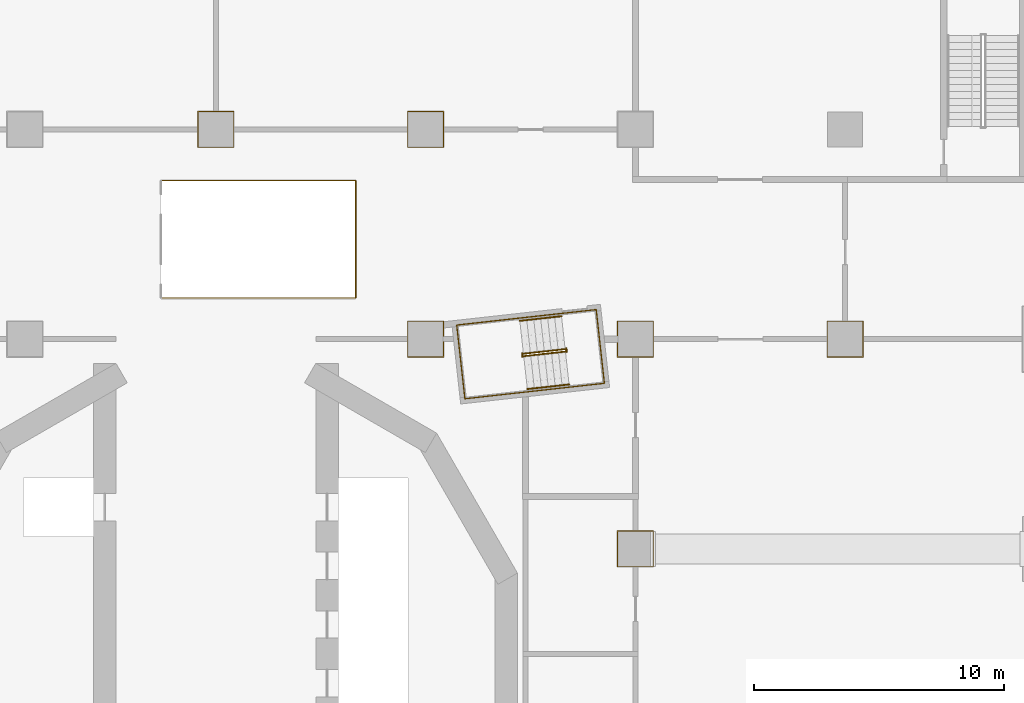
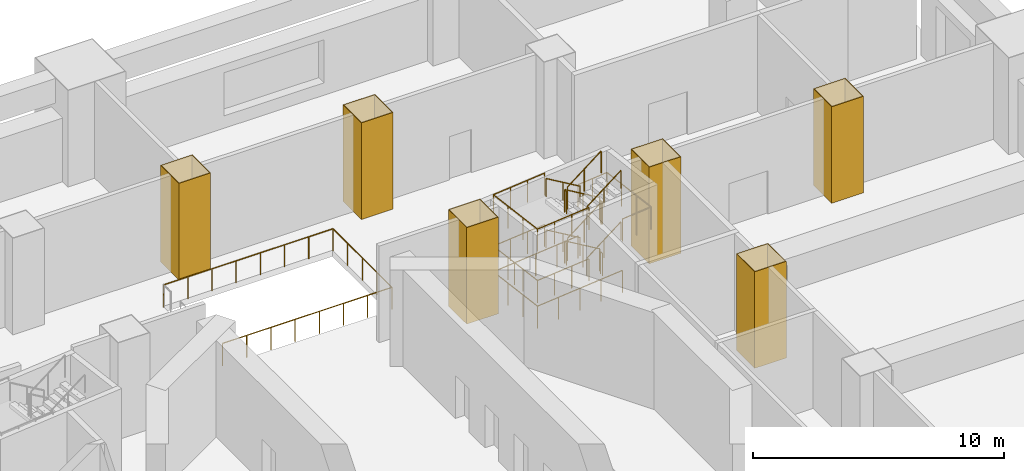
# One storey, part 14 of 17: 14 railings, 6 coverings.
"""IFC4 building model written with IfcOpenShell, lengths in metres."""

from ifc_helpers import new_model, si_unit, direction, frame, origin, origin_2d, place, context, subcontext, project, spatial, polyline, circle, outline, extrude, material, layer, layer_set, type_object, element, save


model = new_model("IFC4")

# Units and contexts
model_context = context("Model", 3, precision=1e-05, world=origin(), true_north=direction((0.0, 1.0)))
body_context = subcontext(model_context, "Body", "Model", "MODEL_VIEW")
ifc_project = project(units=[si_unit("LENGTHUNIT", "METRE"), si_unit("AREAUNIT", "SQUARE_METRE"), si_unit("VOLUMEUNIT", "CUBIC_METRE"), si_unit("PLANEANGLEUNIT", "RADIAN"), si_unit("MASSUNIT", "GRAM", prefix="KILO")], contexts=[model_context])

# Site, building, storey
site_placement = place(None, origin())
site = spatial("IfcSite", under=ifc_project, at=site_placement, CompositionType="ELEMENT")
building_placement = place(site_placement, origin())
building = spatial("IfcBuilding", under=site, at=building_placement, Name="Cantera Rosa Tower", CompositionType="ELEMENT")
storey_placement = place(building_placement, frame((0.0, 0.0, 22.0)))
storey = spatial("IfcBuildingStorey", under=building, at=storey_placement, Name="L03", CompositionType="ELEMENT", Elevation=22.0)

# Coverings
ifc_material_1 = material(Name="Plaster")
ifc_layer = layer(ifc_material_1, 0.030029296875)
ifc_layer_set = layer_set([ifc_layer], Name="Column casing 30")
covering_type = type_object("IfcCoveringType", Name="Column casing 30", PredefinedType="CLADDING", material=ifc_layer_set)
covering_1_placement = place(storey_placement, origin())
element("IfcCovering", 1, at=covering_1_placement, inside=storey, type_object=covering_type, Name="Column casing L03-019", PredefinedType="CLADDING", context=body_context, shape_type="SweptSolid", body=[
    extrude(outline(polyline([(-0.72998046875, 20.27001953125), (0.72998046875, 20.27001953125), (0.72998046875, 21.72998046875), (-0.72998046875, 21.72998046875), (-0.72998046875, 20.27001953125)]), holes=[polyline([(0.699951171875, 21.699951171875), (-0.699951171875, 21.699951171875), (-0.699951171875, 20.300048828125), (0.699951171875, 20.300048828125), (0.699951171875, 21.699951171875)])]), origin(), (0.0, 0.0, 1.0), 4.699951171875),
])
covering_2_placement = place(storey_placement, origin())
element("IfcCovering", 2, at=covering_2_placement, inside=storey, type_object=covering_type, Name="Column casing L03-023", PredefinedType="CLADDING", context=body_context, shape_type="SweptSolid", body=[
    extrude(outline(polyline([(7.669921875, 11.8701171875), (9.1298828125, 11.8701171875), (9.1298828125, 13.330078125), (7.669921875, 13.330078125), (7.669921875, 11.8701171875)]), holes=[polyline([(9.10009765625, 13.300048828125), (7.699951171875, 13.300048828125), (7.699951171875, 11.89990234375), (9.10009765625, 11.89990234375), (9.10009765625, 13.300048828125)])]), origin(), (0.0, 0.0, 1.0), 4.699951171875),
])
covering_3_placement = place(storey_placement, origin())
element("IfcCovering", 3, at=covering_3_placement, inside=storey, type_object=covering_type, Name="Column casing L03-024", PredefinedType="CLADDING", context=body_context, shape_type="SweptSolid", body=[
    extrude(outline(polyline([(7.669921875, 20.27001953125), (9.1298828125, 20.27001953125), (9.1298828125, 21.72998046875), (7.669921875, 21.72998046875), (7.669921875, 20.27001953125)]), holes=[polyline([(9.10009765625, 21.699951171875), (7.699951171875, 21.699951171875), (7.699951171875, 20.300048828125), (9.10009765625, 20.300048828125), (9.10009765625, 21.699951171875)])]), origin(), (0.0, 0.0, 1.0), 4.699951171875),
])
covering_4_placement = place(storey_placement, origin())
element("IfcCovering", 4, at=covering_4_placement, inside=storey, type_object=covering_type, Name="Column casing L03-029", PredefinedType="CLADDING", context=body_context, shape_type="SweptSolid", body=[
    extrude(outline(polyline([(16.070068359375, 3.469970703125), (17.530029296875, 3.469970703125), (17.530029296875, 4.929931640625), (16.070068359375, 4.929931640625), (16.070068359375, 3.469970703125)]), holes=[polyline([(17.5, 4.89990234375), (16.10009765625, 4.89990234375), (16.10009765625, 3.5), (17.5, 3.5), (17.5, 4.89990234375)])]), origin(), (0.0, 0.0, 1.0), 4.699951171875),
])
covering_5_placement = place(storey_placement, origin())
element("IfcCovering", 5, at=covering_5_placement, inside=storey, type_object=covering_type, Name="Column casing L03-030", PredefinedType="CLADDING", context=body_context, shape_type="SweptSolid", body=[
    extrude(outline(polyline([(16.070068359375, 11.8701171875), (17.530029296875, 11.8701171875), (17.530029296875, 13.330078125), (16.070068359375, 13.330078125), (16.070068359375, 11.8701171875)]), holes=[polyline([(17.5, 13.300048828125), (16.10009765625, 13.300048828125), (16.10009765625, 11.89990234375), (17.5, 11.89990234375), (17.5, 13.300048828125)])]), origin(), (0.0, 0.0, 1.0), 4.699951171875),
])
covering_6_placement = place(storey_placement, origin())
element("IfcCovering", 6, at=covering_6_placement, inside=storey, type_object=covering_type, Name="Column casing L03-033", PredefinedType="CLADDING", context=body_context, shape_type="SweptSolid", body=[
    extrude(outline(polyline([(24.469970703125, 11.8701171875), (25.929931640625, 11.8701171875), (25.929931640625, 13.330078125), (24.469970703125, 13.330078125), (24.469970703125, 11.8701171875)]), holes=[polyline([(25.89990234375, 13.300048828125), (24.5, 13.300048828125), (24.5, 11.89990234375), (25.89990234375, 11.89990234375), (25.89990234375, 13.300048828125)])]), origin(), (0.0, 0.0, 1.0), 4.699951171875),
])

# Railings
ifc_material_2 = material(Name="Steel S355J2 (EN 10025-2)", Category="steel")
railing_type_1 = type_object("IfcRailingType", Name="STAIR GUARD 1100", PredefinedType="GUARDRAIL", material=ifc_material_2)
railing_1_placement = place(storey_placement, frame((13.986083984375, 12.203125, 0.178466796875)))
element("IfcRailing", 7, at=railing_1_placement, inside=storey, type_object=railing_type_1, Name="L03 ST-11 stair guard 1", PredefinedType="GUARDRAIL", context=body_context, shape_type="SweptSolid", body=[
    extrude(circle(Radius=0.02392578125, at=origin_2d()), frame((0.0, 0.0, 1.076171875), z_axis=(-0.837950904326, -0.092996744609, 0.537763784046), x_axis=(0.110303920128, -0.993897904819, 0.0)), (0.0, 0.0, 1.0), 1.99267578125),
    extrude(circle(Radius=0.02392578125, at=origin_2d()), frame((-1.669677734375, -0.185302734375, 2.1474609375), z_axis=(-0.933456941688, 0.358689472963, 0.0), x_axis=(-0.358689472963, -0.933456941688, 0.0)), (0.0, 0.0, 1.0), 0.056396484375),
    extrude(circle(Radius=0.02392578125, at=origin_2d()), frame((-1.722412109375, -0.1650390625, 2.1474609375), z_axis=(0.110789159685, -0.993843932464, 0.0), x_axis=(0.993843932464, 0.110789159685, 0.0)), (0.0, 0.0, 1.0), 0.14990234375),
    extrude(circle(Radius=0.02099609375, at=origin_2d()), origin(), (0.0, 0.0, 1.0), 1.052001953125),
    extrude(circle(Radius=0.02099609375, at=origin_2d()), frame((-0.8349609375, -0.0927734375, 0.53564453125)), (0.0, 0.0, 1.0), 1.052001953125),
    extrude(circle(Radius=0.02099609375, at=origin_2d()), frame((-1.669677734375, -0.185302734375, 1.071533203125)), (0.0, 0.0, 1.0), 1.052001953125),
    extrude(circle(Radius=0.02099609375, at=origin_2d()), frame((-1.722412109375, -0.1650390625, 1.071533203125)), (0.0, 0.0, 1.0), 1.052001953125),
    extrude(circle(Radius=0.02099609375, at=origin_2d()), frame((-1.705810546875, -0.31396484375, 1.071533203125)), (0.0, 0.0, 1.0), 1.052001953125),
])
railing_2_placement = place(storey_placement, frame((12.3271484375, 11.92041015625, 1.428466796875)))
element("IfcRailing", 8, at=railing_2_placement, inside=storey, type_object=railing_type_1, Name="L03 ST-11 stair guard 2", PredefinedType="GUARDRAIL", context=body_context, shape_type="SweptSolid", body=[
    extrude(circle(Radius=0.02392578125, at=origin_2d()), frame((0.0, 0.0, 1.076171875), z_axis=(0.837950904326, 0.092996744609, 0.537763784046), x_axis=(-0.110303920128, 0.993897904819, 0.0)), (0.0, 0.0, 1.0), 1.99267578125),
    extrude(circle(Radius=0.02392578125, at=origin_2d()), frame((1.669677734375, 0.185302734375, 2.1474609375), z_axis=(0.932897555956, -0.360141847183, 0.0), x_axis=(0.360141847183, 0.932897555956, 0.0)), (0.0, 0.0, 1.0), 0.05615234375),
    extrude(circle(Radius=0.02392578125, at=origin_2d()), frame((1.72216796875, 0.1650390625, 2.1474609375), z_axis=(-0.109179471459, 0.994022053584, 0.0), x_axis=(-0.994022053584, -0.109179471459, 0.0)), (0.0, 0.0, 1.0), 0.14990234375),
    extrude(circle(Radius=0.02099609375, at=origin_2d()), origin(), (0.0, 0.0, 1.0), 1.052001953125),
    extrude(circle(Radius=0.02099609375, at=origin_2d()), frame((0.8349609375, 0.0927734375, 0.53564453125)), (0.0, 0.0, 1.0), 1.052001953125),
    extrude(circle(Radius=0.02099609375, at=origin_2d()), frame((1.669677734375, 0.185302734375, 1.071533203125)), (0.0, 0.0, 1.0), 1.052001953125),
    extrude(circle(Radius=0.02099609375, at=origin_2d()), frame((1.72216796875, 0.1650390625, 1.071533203125)), (0.0, 0.0, 1.0), 1.052001953125),
    extrude(circle(Radius=0.02099609375, at=origin_2d()), frame((1.705810546875, 0.31396484375, 1.071533203125)), (0.0, 0.0, 1.0), 1.052001953125),
])
railing_3_placement = place(storey_placement, frame((13.986083984375, 12.203125, 2.678466796875)))
element("IfcRailing", 9, at=railing_3_placement, inside=storey, type_object=railing_type_1, Name="L03 ST-11 stair guard 3", PredefinedType="GUARDRAIL", context=body_context, shape_type="SweptSolid", body=[
    extrude(circle(Radius=0.02392578125, at=origin_2d()), frame((0.0, 0.0, 1.076171875), z_axis=(-0.837950904326, -0.092996744609, 0.537763784046), x_axis=(0.110303920128, -0.993897904819, 0.0)), (0.0, 0.0, 1.0), 1.99267578125),
    extrude(circle(Radius=0.02392578125, at=origin_2d()), frame((-1.669677734375, -0.185302734375, 2.1474609375), z_axis=(-0.933456941688, 0.358689472963, 0.0), x_axis=(-0.358689472963, -0.933456941688, 0.0)), (0.0, 0.0, 1.0), 0.056396484375),
    extrude(circle(Radius=0.02392578125, at=origin_2d()), frame((-1.722412109375, -0.1650390625, 2.1474609375), z_axis=(0.110789159685, -0.993843932464, 0.0), x_axis=(0.993843932464, 0.110789159685, 0.0)), (0.0, 0.0, 1.0), 0.14990234375),
    extrude(circle(Radius=0.02099609375, at=origin_2d()), origin(), (0.0, 0.0, 1.0), 1.052001953125),
    extrude(circle(Radius=0.02099609375, at=origin_2d()), frame((-0.8349609375, -0.0927734375, 0.53564453125)), (0.0, 0.0, 1.0), 1.052001953125),
    extrude(circle(Radius=0.02099609375, at=origin_2d()), frame((-1.669677734375, -0.185302734375, 1.071533203125)), (0.0, 0.0, 1.0), 1.052001953125),
    extrude(circle(Radius=0.02099609375, at=origin_2d()), frame((-1.722412109375, -0.1650390625, 1.071533203125)), (0.0, 0.0, 1.0), 1.052001953125),
    extrude(circle(Radius=0.02099609375, at=origin_2d()), frame((-1.705810546875, -0.31396484375, 1.071533203125)), (0.0, 0.0, 1.0), 1.052001953125),
])
railing_4_placement = place(storey_placement, frame((12.3271484375, 11.92041015625, 3.928466796875)))
element("IfcRailing", 10, at=railing_4_placement, inside=storey, type_object=railing_type_1, Name="L03 ST-11 stair guard 4", PredefinedType="GUARDRAIL", context=body_context, shape_type="SweptSolid", body=[
    extrude(circle(Radius=0.02392578125, at=origin_2d()), frame((0.0, 0.0, 1.076171875), z_axis=(0.837950904326, 0.092996744609, 0.537763784046), x_axis=(-0.110303920128, 0.993897904819, 0.0)), (0.0, 0.0, 1.0), 1.99267578125),
    extrude(circle(Radius=0.02099609375, at=origin_2d()), origin(), (0.0, 0.0, 1.0), 1.052001953125),
    extrude(circle(Radius=0.02099609375, at=origin_2d()), frame((0.8349609375, 0.0927734375, 0.53564453125)), (0.0, 0.0, 1.0), 1.052001953125),
    extrude(circle(Radius=0.02099609375, at=origin_2d()), frame((1.669677734375, 0.185302734375, 1.071533203125)), (0.0, 0.0, 1.0), 1.052001953125),
])
railing_5_placement = place(storey_placement, frame((14.032958984375, 12.234375, 0.0)))
element("IfcRailing", 11, at=railing_5_placement, inside=storey, type_object=railing_type_1, Name="L03 ST-11 stair guard 5", PredefinedType="GUARDRAIL", context=body_context, shape_type="SweptSolid", body=[
    extrude(circle(Radius=0.02392578125, at=origin_2d()), frame((0.0, 0.0, 1.076171875), z_axis=(0.109179471459, -0.994022053584, 0.0), x_axis=(0.994022053584, 0.109179471459, 0.0)), (0.0, 0.0, 1.0), 0.14990234375),
    extrude(circle(Radius=0.02099609375, at=origin_2d()), origin(), (0.0, 0.0, 1.0), 1.052001953125),
    extrude(circle(Radius=0.02099609375, at=origin_2d()), frame((0.016357421875, -0.14892578125, 0.0)), (0.0, 0.0, 1.0), 1.052001953125),
])
railing_6_placement = place(storey_placement, frame((13.815673828125, 13.629150390625, 0.0)))
element("IfcRailing", 12, at=railing_6_placement, inside=storey, type_object=railing_type_1, Name="L03 ST-11 stair guard 6", PredefinedType="GUARDRAIL", context=body_context, shape_type="SweptSolid", body=[
    extrude(circle(Radius=0.02392578125, at=origin_2d()), frame((0.0, 0.0, 1.076171875), z_axis=(-0.9938957856, -0.110323013767, 0.0), x_axis=(0.110323013767, -0.9938957856, 0.0)), (0.0, 0.0, 1.0), 4.197998046875),
    extrude(circle(Radius=0.02392578125, at=origin_2d()), frame((-4.17236328125, -0.463134765625, 1.076171875), z_axis=(0.110314237986, -0.993896759678, 0.0), x_axis=(0.993896759678, 0.110314237986, 0.0)), (0.0, 0.0, 1.0), 2.969970703125),
    extrude(circle(Radius=0.02392578125, at=origin_2d()), frame((-3.8447265625, -3.4150390625, 1.076171875), z_axis=(0.9938957856, 0.110323013767, 0.0), x_axis=(-0.110323013767, 0.9938957856, 0.0)), (0.0, 0.0, 1.0), 4.197998046875),
    extrude(circle(Radius=0.02099609375, at=origin_2d()), origin(), (0.0, 0.0, 1.0), 1.052001953125),
    extrude(circle(Radius=0.02099609375, at=origin_2d()), frame((-1.04296875, -0.11572265625, 0.0)), (0.0, 0.0, 1.0), 1.052001953125),
    extrude(circle(Radius=0.02099609375, at=origin_2d()), frame((-2.086181640625, -0.2314453125, 0.0)), (0.0, 0.0, 1.0), 1.052001953125),
    extrude(circle(Radius=0.02099609375, at=origin_2d()), frame((-3.12939453125, -0.347412109375, 0.0)), (0.0, 0.0, 1.0), 1.052001953125),
    extrude(circle(Radius=0.02099609375, at=origin_2d()), frame((-4.17236328125, -0.463134765625, 0.0)), (0.0, 0.0, 1.0), 1.052001953125),
    extrude(circle(Radius=0.02099609375, at=origin_2d()), frame((-4.063232421875, -1.447021484375, 0.0)), (0.0, 0.0, 1.0), 1.052001953125),
    extrude(circle(Radius=0.02099609375, at=origin_2d()), frame((-3.953857421875, -2.43115234375, 0.0)), (0.0, 0.0, 1.0), 1.052001953125),
    extrude(circle(Radius=0.02099609375, at=origin_2d()), frame((-3.8447265625, -3.4150390625, 0.0)), (0.0, 0.0, 1.0), 1.052001953125),
    extrude(circle(Radius=0.02099609375, at=origin_2d()), frame((-2.8017578125, -3.29931640625, 0.0)), (0.0, 0.0, 1.0), 1.052001953125),
    extrude(circle(Radius=0.02099609375, at=origin_2d()), frame((-1.758544921875, -3.18359375, 0.0)), (0.0, 0.0, 1.0), 1.052001953125),
    extrude(circle(Radius=0.02099609375, at=origin_2d()), frame((-0.71533203125, -3.067626953125, 0.0)), (0.0, 0.0, 1.0), 1.052001953125),
    extrude(circle(Radius=0.02099609375, at=origin_2d()), frame((0.32763671875, -2.951904296875, 0.0)), (0.0, 0.0, 1.0), 1.052001953125),
])
railing_7_placement = place(storey_placement, frame((12.169921875, 13.4462890625, 1.25)))
element("IfcRailing", 13, at=railing_7_placement, inside=storey, type_object=railing_type_1, Name="L03 ST-11 stair guard 7", PredefinedType="GUARDRAIL", context=body_context, shape_type="SweptSolid", body=[
    extrude(circle(Radius=0.02392578125, at=origin_2d()), frame((0.0, 0.0, 1.076171875), z_axis=(-0.993903628964, -0.110252330278, 0.0), x_axis=(0.110252330278, -0.993903628964, 0.0)), (0.0, 0.0, 1.0), 2.5419921875),
    extrude(circle(Radius=0.02392578125, at=origin_2d()), frame((-2.526611328125, -0.2802734375, 1.076171875), z_axis=(0.110314237986, -0.993896759678, 0.0), x_axis=(0.993896759678, 0.110314237986, 0.0)), (0.0, 0.0, 1.0), 2.969970703125),
    extrude(circle(Radius=0.02392578125, at=origin_2d()), frame((-2.198974609375, -3.232177734375, 1.076171875), z_axis=(0.993903628964, 0.110252330278, 0.0), x_axis=(-0.110252330278, 0.993903628964, 0.0)), (0.0, 0.0, 1.0), 2.5419921875),
    extrude(circle(Radius=0.02099609375, at=origin_2d()), origin(), (0.0, 0.0, 1.0), 1.052001953125),
    extrude(circle(Radius=0.02099609375, at=origin_2d()), frame((-0.84228515625, -0.093505859375, 0.0)), (0.0, 0.0, 1.0), 1.052001953125),
    extrude(circle(Radius=0.02099609375, at=origin_2d()), frame((-1.684326171875, -0.186767578125, 0.0)), (0.0, 0.0, 1.0), 1.052001953125),
    extrude(circle(Radius=0.02099609375, at=origin_2d()), frame((-2.526611328125, -0.2802734375, 0.0)), (0.0, 0.0, 1.0), 1.052001953125),
    extrude(circle(Radius=0.02099609375, at=origin_2d()), frame((-2.41748046875, -1.26416015625, 0.0)), (0.0, 0.0, 1.0), 1.052001953125),
    extrude(circle(Radius=0.02099609375, at=origin_2d()), frame((-2.30810546875, -2.248291015625, 0.0)), (0.0, 0.0, 1.0), 1.052001953125),
    extrude(circle(Radius=0.02099609375, at=origin_2d()), frame((-2.198974609375, -3.232177734375, 0.0)), (0.0, 0.0, 1.0), 1.052001953125),
    extrude(circle(Radius=0.02099609375, at=origin_2d()), frame((-1.356689453125, -3.138671875, 0.0)), (0.0, 0.0, 1.0), 1.052001953125),
    extrude(circle(Radius=0.02099609375, at=origin_2d()), frame((-0.5146484375, -3.04541015625, 0.0)), (0.0, 0.0, 1.0), 1.052001953125),
    extrude(circle(Radius=0.02099609375, at=origin_2d()), frame((0.32763671875, -2.951904296875, 0.0)), (0.0, 0.0, 1.0), 1.052001953125),
])
railing_8_placement = place(storey_placement, frame((13.815673828125, 13.629150390625, 2.5)))
element("IfcRailing", 14, at=railing_8_placement, inside=storey, type_object=railing_type_1, Name="L03 ST-11 stair guard 8", PredefinedType="GUARDRAIL", context=body_context, shape_type="SweptSolid", body=[
    extrude(circle(Radius=0.02392578125, at=origin_2d()), frame((0.0, 0.0, 1.076171875), z_axis=(0.993906744489, 0.110224240795, 0.0), x_axis=(-0.110224240795, 0.993906744489, 0.0)), (0.0, 0.0, 1.0), 1.421875),
    extrude(circle(Radius=0.02392578125, at=origin_2d()), frame((1.413330078125, 0.15673828125, 1.076171875), z_axis=(0.110314237986, -0.993896759678, 0.0), x_axis=(0.993896759678, 0.110314237986, 0.0)), (0.0, 0.0, 1.0), 2.969970703125),
    extrude(circle(Radius=0.02392578125, at=origin_2d()), frame((1.740966796875, -2.795166015625, 1.076171875), z_axis=(-0.993906744489, -0.110224240795, 0.0), x_axis=(0.110224240795, -0.993906744489, 0.0)), (0.0, 0.0, 1.0), 1.421875),
    extrude(circle(Radius=0.02099609375, at=origin_2d()), origin(), (0.0, 0.0, 1.0), 1.052001953125),
    extrude(circle(Radius=0.02099609375, at=origin_2d()), frame((0.70654296875, 0.078369140625, 0.0)), (0.0, 0.0, 1.0), 1.052001953125),
    extrude(circle(Radius=0.02099609375, at=origin_2d()), frame((1.413330078125, 0.15673828125, 0.0)), (0.0, 0.0, 1.0), 1.052001953125),
    extrude(circle(Radius=0.02099609375, at=origin_2d()), frame((1.5224609375, -0.8271484375, 0.0)), (0.0, 0.0, 1.0), 1.052001953125),
    extrude(circle(Radius=0.02099609375, at=origin_2d()), frame((1.6318359375, -1.811279296875, 0.0)), (0.0, 0.0, 1.0), 1.052001953125),
    extrude(circle(Radius=0.02099609375, at=origin_2d()), frame((1.740966796875, -2.795166015625, 0.0)), (0.0, 0.0, 1.0), 1.052001953125),
    extrude(circle(Radius=0.02099609375, at=origin_2d()), frame((1.0341796875, -2.87353515625, 0.0)), (0.0, 0.0, 1.0), 1.052001953125),
    extrude(circle(Radius=0.02099609375, at=origin_2d()), frame((0.32763671875, -2.951904296875, 0.0)), (0.0, 0.0, 1.0), 1.052001953125),
])
railing_9_placement = place(storey_placement, frame((12.169921875, 13.4462890625, 3.75)))
element("IfcRailing", 15, at=railing_9_placement, inside=storey, type_object=railing_type_1, Name="L03 ST-11 stair guard 9", PredefinedType="GUARDRAIL", context=body_context, shape_type="SweptSolid", body=[
    extrude(circle(Radius=0.02392578125, at=origin_2d()), frame((0.0, 0.0, 1.076171875), z_axis=(-0.993903628964, -0.110252330278, 0.0), x_axis=(0.110252330278, -0.993903628964, 0.0)), (0.0, 0.0, 1.0), 2.5419921875),
    extrude(circle(Radius=0.02392578125, at=origin_2d()), frame((-2.526611328125, -0.2802734375, 1.076171875), z_axis=(0.110314237986, -0.993896759678, 0.0), x_axis=(0.993896759678, 0.110314237986, 0.0)), (0.0, 0.0, 1.0), 2.969970703125),
    extrude(circle(Radius=0.02392578125, at=origin_2d()), frame((-2.198974609375, -3.232177734375, 1.076171875), z_axis=(0.993903628964, 0.110252330278, 0.0), x_axis=(-0.110252330278, 0.993903628964, 0.0)), (0.0, 0.0, 1.0), 2.5419921875),
    extrude(circle(Radius=0.02099609375, at=origin_2d()), origin(), (0.0, 0.0, 1.0), 1.052001953125),
    extrude(circle(Radius=0.02099609375, at=origin_2d()), frame((-0.84228515625, -0.093505859375, 0.0)), (0.0, 0.0, 1.0), 1.052001953125),
    extrude(circle(Radius=0.02099609375, at=origin_2d()), frame((-1.684326171875, -0.186767578125, 0.0)), (0.0, 0.0, 1.0), 1.052001953125),
    extrude(circle(Radius=0.02099609375, at=origin_2d()), frame((-2.526611328125, -0.2802734375, 0.0)), (0.0, 0.0, 1.0), 1.052001953125),
    extrude(circle(Radius=0.02099609375, at=origin_2d()), frame((-2.41748046875, -1.26416015625, 0.0)), (0.0, 0.0, 1.0), 1.052001953125),
    extrude(circle(Radius=0.02099609375, at=origin_2d()), frame((-2.30810546875, -2.248291015625, 0.0)), (0.0, 0.0, 1.0), 1.052001953125),
    extrude(circle(Radius=0.02099609375, at=origin_2d()), frame((-2.198974609375, -3.232177734375, 0.0)), (0.0, 0.0, 1.0), 1.052001953125),
    extrude(circle(Radius=0.02099609375, at=origin_2d()), frame((-1.356689453125, -3.138671875, 0.0)), (0.0, 0.0, 1.0), 1.052001953125),
    extrude(circle(Radius=0.02099609375, at=origin_2d()), frame((-0.5146484375, -3.04541015625, 0.0)), (0.0, 0.0, 1.0), 1.052001953125),
    extrude(circle(Radius=0.02099609375, at=origin_2d()), frame((0.32763671875, -2.951904296875, 0.0)), (0.0, 0.0, 1.0), 1.052001953125),
])
ifc_material_3 = material(Name="Steel S355J2 (EN 10025-2)", Category="steel")
railing_type_2 = type_object("IfcRailingType", Name="STAIR HANDRAIL 900", PredefinedType="HANDRAIL", material=ifc_material_3)
railing_10_placement = place(storey_placement, frame((13.83984375, 13.52099609375, 0.178466796875)))
element("IfcRailing", 16, at=railing_10_placement, inside=storey, type_object=railing_type_2, Name="L03 ST-11 stair handrail 1", PredefinedType="HANDRAIL", context=body_context, shape_type="SweptSolid", body=[
    extrude(circle(Radius=0.02392578125, at=origin_2d()), frame((0.0, 0.0, 0.8759765625), z_axis=(-0.837987391448, -0.092987197384, 0.537708576179), x_axis=(0.11028798999, -0.993899672635, 0.0)), (0.0, 0.0, 1.0), 1.99267578125),
    extrude(circle(Radius=0.02099609375, at=origin_2d()), origin(), (0.0, 0.0, 1.0), 0.851806640625),
    extrude(circle(Radius=0.02099609375, at=origin_2d()), frame((-0.8349609375, -0.0927734375, 0.53564453125)), (0.0, 0.0, 1.0), 0.851806640625),
    extrude(circle(Radius=0.02099609375, at=origin_2d()), frame((-1.669921875, -0.185302734375, 1.071533203125)), (0.0, 0.0, 1.0), 0.851806640625),
])
railing_11_placement = place(storey_placement, frame((12.473388671875, 10.6025390625, 1.428466796875)))
element("IfcRailing", 17, at=railing_11_placement, inside=storey, type_object=railing_type_2, Name="L03 ST-11 stair handrail 2", PredefinedType="HANDRAIL", context=body_context, shape_type="SweptSolid", body=[
    extrude(circle(Radius=0.02392578125, at=origin_2d()), frame((0.0, 0.0, 0.8759765625), z_axis=(0.837950904326, 0.092996744609, 0.537763784046), x_axis=(-0.110303920128, 0.993897904819, 0.0)), (0.0, 0.0, 1.0), 1.99267578125),
    extrude(circle(Radius=0.02099609375, at=origin_2d()), origin(), (0.0, 0.0, 1.0), 0.851806640625),
    extrude(circle(Radius=0.02099609375, at=origin_2d()), frame((0.8349609375, 0.0927734375, 0.53564453125)), (0.0, 0.0, 1.0), 0.851806640625),
    extrude(circle(Radius=0.02099609375, at=origin_2d()), frame((1.669677734375, 0.185302734375, 1.071533203125)), (0.0, 0.0, 1.0), 0.851806640625),
])
railing_12_placement = place(storey_placement, frame((13.83984375, 13.52099609375, 2.678466796875)))
element("IfcRailing", 18, at=railing_12_placement, inside=storey, type_object=railing_type_2, Name="L03 ST-11 stair handrail 3", PredefinedType="HANDRAIL", context=body_context, shape_type="SweptSolid", body=[
    extrude(circle(Radius=0.02392578125, at=origin_2d()), frame((0.0, 0.0, 0.8759765625), z_axis=(-0.837987391448, -0.092987197384, 0.537708576179), x_axis=(0.11028798999, -0.993899672635, 0.0)), (0.0, 0.0, 1.0), 1.99267578125),
    extrude(circle(Radius=0.02099609375, at=origin_2d()), origin(), (0.0, 0.0, 1.0), 0.851806640625),
    extrude(circle(Radius=0.02099609375, at=origin_2d()), frame((-0.8349609375, -0.0927734375, 0.53564453125)), (0.0, 0.0, 1.0), 0.851806640625),
    extrude(circle(Radius=0.02099609375, at=origin_2d()), frame((-1.669921875, -0.185302734375, 1.071533203125)), (0.0, 0.0, 1.0), 0.851806640625),
])
railing_13_placement = place(storey_placement, frame((12.473388671875, 10.6025390625, 3.928466796875)))
element("IfcRailing", 19, at=railing_13_placement, inside=storey, type_object=railing_type_2, Name="L03 ST-11 stair handrail 4", PredefinedType="HANDRAIL", context=body_context, shape_type="SweptSolid", body=[
    extrude(circle(Radius=0.02392578125, at=origin_2d()), frame((0.0, 0.0, 0.8759765625), z_axis=(0.837950904326, 0.092996744609, 0.537763784046), x_axis=(-0.110303920128, 0.993897904819, 0.0)), (0.0, 0.0, 1.0), 1.99267578125),
    extrude(circle(Radius=0.02099609375, at=origin_2d()), origin(), (0.0, 0.0, 1.0), 0.851806640625),
    extrude(circle(Radius=0.02099609375, at=origin_2d()), frame((0.8349609375, 0.0927734375, 0.53564453125)), (0.0, 0.0, 1.0), 0.851806640625),
    extrude(circle(Radius=0.02099609375, at=origin_2d()), frame((1.669677734375, 0.185302734375, 1.071533203125)), (0.0, 0.0, 1.0), 0.851806640625),
])
ifc_material_4 = material(Name="Steel S355J2 (EN 10025-2)", Category="steel")
railing_type_3 = type_object("IfcRailingType", Name="Well guard 1100", PredefinedType="GUARDRAIL", material=ifc_material_4)
railing_14_placement = place(storey_placement, frame((-2.194091796875, 14.25, 0.0)))
element("IfcRailing", 20, at=railing_14_placement, inside=storey, type_object=railing_type_3, Name="Guard round escalator well L03", PredefinedType="GUARDRAIL", context=body_context, shape_type="SweptSolid", body=[
    extrude(circle(Radius=0.02392578125, at=origin_2d()), frame((0.0, 0.0, 1.076171875), z_axis=(1.0, 0.0, 0.0), x_axis=(0.0, 1.0, 0.0)), (0.0, 0.0, 1.0), 7.794189453125),
    extrude(circle(Radius=0.02392578125, at=origin_2d()), frame((7.794189453125, 0.0, 1.076171875), z_axis=(0.0, 1.0, 0.0), x_axis=(-1.0, 0.0, 0.0)), (0.0, 0.0, 1.0), 4.699951171875),
    extrude(circle(Radius=0.02392578125, at=origin_2d()), frame((7.794189453125, 4.699951171875, 1.076171875), z_axis=(-1.0, 0.0, 0.0), x_axis=(0.0, -1.0, 0.0)), (0.0, 0.0, 1.0), 7.794189453125),
    extrude(circle(Radius=0.02099609375, at=origin_2d()), origin(), (0.0, 0.0, 1.0), 1.052001953125),
    extrude(circle(Radius=0.02099609375, at=origin_2d()), frame((1.113525390625, 0.0, 0.0)), (0.0, 0.0, 1.0), 1.052001953125),
    extrude(circle(Radius=0.02099609375, at=origin_2d()), frame((2.226806640625, 0.0, 0.0)), (0.0, 0.0, 1.0), 1.052001953125),
    extrude(circle(Radius=0.02099609375, at=origin_2d()), frame((3.34033203125, 0.0, 0.0)), (0.0, 0.0, 1.0), 1.052001953125),
    extrude(circle(Radius=0.02099609375, at=origin_2d()), frame((4.453857421875, 0.0, 0.0)), (0.0, 0.0, 1.0), 1.052001953125),
    extrude(circle(Radius=0.02099609375, at=origin_2d()), frame((5.5673828125, 0.0, 0.0)), (0.0, 0.0, 1.0), 1.052001953125),
    extrude(circle(Radius=0.02099609375, at=origin_2d()), frame((6.6806640625, 0.0, 0.0)), (0.0, 0.0, 1.0), 1.052001953125),
    extrude(circle(Radius=0.02099609375, at=origin_2d()), frame((7.794189453125, 0.0, 0.0)), (0.0, 0.0, 1.0), 1.052001953125),
    extrude(circle(Radius=0.02099609375, at=origin_2d()), frame((7.794189453125, 1.175048828125, 0.0)), (0.0, 0.0, 1.0), 1.052001953125),
    extrude(circle(Radius=0.02099609375, at=origin_2d()), frame((7.794189453125, 2.35009765625, 0.0)), (0.0, 0.0, 1.0), 1.052001953125),
    extrude(circle(Radius=0.02099609375, at=origin_2d()), frame((7.794189453125, 3.52490234375, 0.0)), (0.0, 0.0, 1.0), 1.052001953125),
    extrude(circle(Radius=0.02099609375, at=origin_2d()), frame((7.794189453125, 4.699951171875, 0.0)), (0.0, 0.0, 1.0), 1.052001953125),
    extrude(circle(Radius=0.02099609375, at=origin_2d()), frame((6.6806640625, 4.699951171875, 0.0)), (0.0, 0.0, 1.0), 1.052001953125),
    extrude(circle(Radius=0.02099609375, at=origin_2d()), frame((5.5673828125, 4.699951171875, 0.0)), (0.0, 0.0, 1.0), 1.052001953125),
    extrude(circle(Radius=0.02099609375, at=origin_2d()), frame((4.453857421875, 4.699951171875, 0.0)), (0.0, 0.0, 1.0), 1.052001953125),
    extrude(circle(Radius=0.02099609375, at=origin_2d()), frame((3.34033203125, 4.699951171875, 0.0)), (0.0, 0.0, 1.0), 1.052001953125),
    extrude(circle(Radius=0.02099609375, at=origin_2d()), frame((2.226806640625, 4.699951171875, 0.0)), (0.0, 0.0, 1.0), 1.052001953125),
    extrude(circle(Radius=0.02099609375, at=origin_2d()), frame((1.113525390625, 4.699951171875, 0.0)), (0.0, 0.0, 1.0), 1.052001953125),
    extrude(circle(Radius=0.02099609375, at=origin_2d()), frame((0.0, 4.699951171875, 0.0)), (0.0, 0.0, 1.0), 1.052001953125),
])

save(model, "model.ifc")
